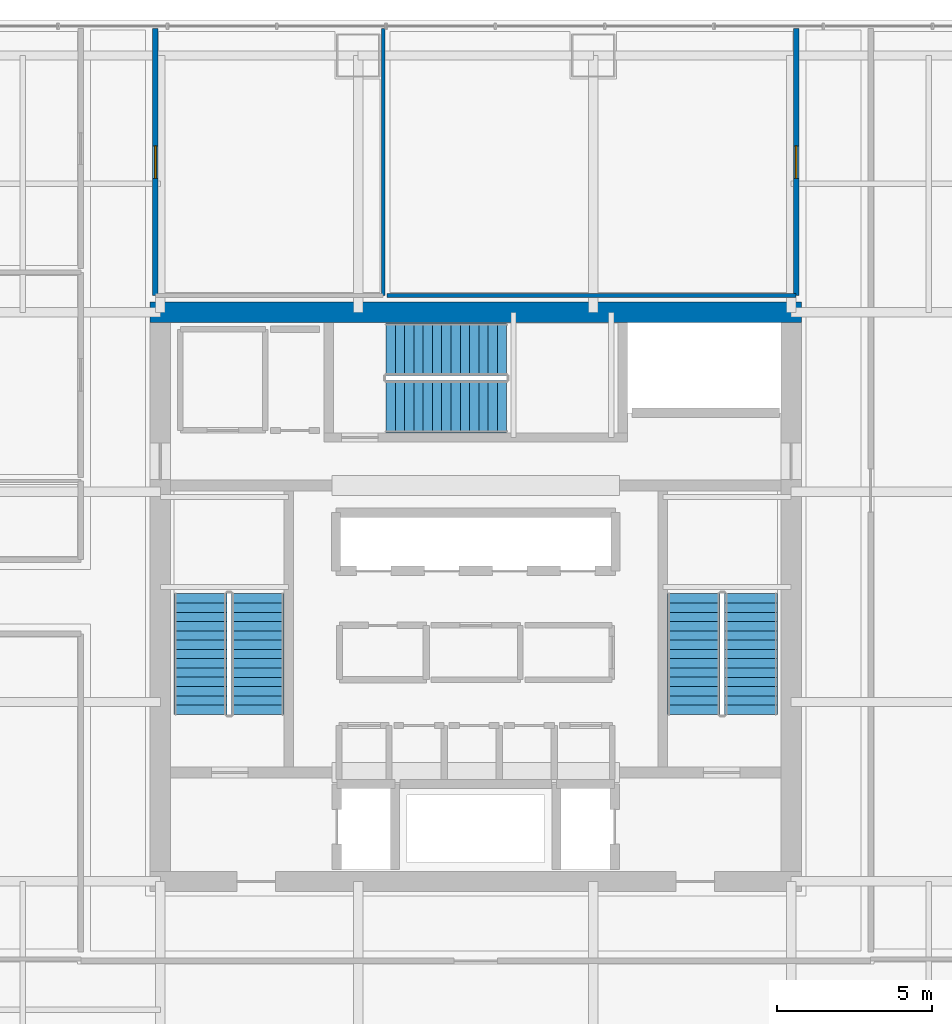
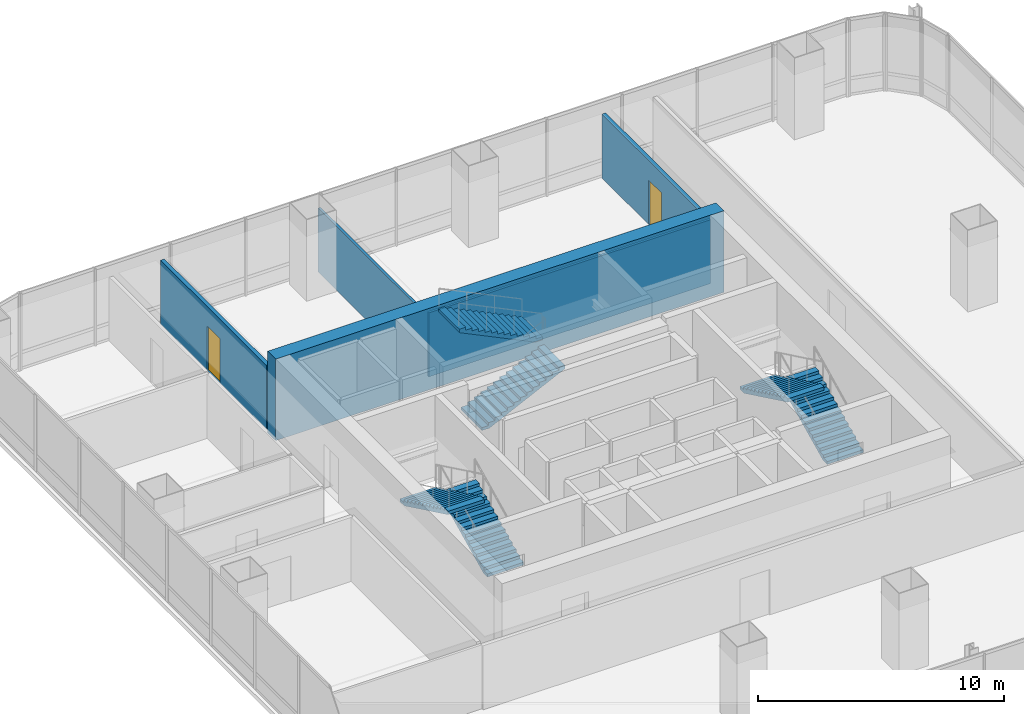
# One storey, part 31 of 36: 6 stair flights, 5 walls, 2 doors, 2 openings, 3 elements without a shape of their own.
"""IFC4 building model written with IfcOpenShell, lengths in metres."""

from ifc_helpers import new_model, si_unit, direction, frame, frame_2d, origin, place, context, subcontext, project, spatial, polyline, rectangle, outline, extrude, material, layer, layer_set, type_object, element, fill, aggregate, save


model = new_model("IFC4")

# Units and contexts
model_context = context("Model", 3, precision=1e-05, world=origin(), true_north=direction((0.0, 1.0)))
body_context = subcontext(model_context, "Body", "Model", "MODEL_VIEW")
ifc_project = project(units=[si_unit("LENGTHUNIT", "METRE"), si_unit("AREAUNIT", "SQUARE_METRE"), si_unit("VOLUMEUNIT", "CUBIC_METRE"), si_unit("PLANEANGLEUNIT", "RADIAN"), si_unit("MASSUNIT", "GRAM", prefix="KILO")], contexts=[model_context])

# Site, building, storey
site_placement = place(None, origin())
site = spatial("IfcSite", under=ifc_project, at=site_placement, CompositionType="ELEMENT")
building_placement = place(site_placement, origin())
building = spatial("IfcBuilding", under=site, at=building_placement, Name="Punatoya Terracotta Tower", CompositionType="ELEMENT")
storey_placement = place(building_placement, frame((0.0, 0.0, 212.699951171875)))
storey = spatial("IfcBuildingStorey", under=building, at=storey_placement, Name="L50", CompositionType="ELEMENT", Elevation=212.699951171875)

# Wall
ifc_material_1 = material(Name="Concrete C60/75", Category="concrete")
ifc_layer_1 = layer(ifc_material_1, 0.64990234375)
ifc_layer_set_1 = layer_set([ifc_layer_1], Name="Concrete C60/75")
wall_type_1 = type_object("IfcWallType", Name="WL-COR-650", PredefinedType="SHEAR", material=ifc_layer_set_1)
wall_1_placement = place(storey_placement, frame((-10.52490234375, 9.199951171875, 0.0), z_axis=(0.0, 0.0, 1.0), x_axis=(1.0, 0.0, 0.0)))
element("IfcWall", 1, at=wall_1_placement, inside=storey, type_object=wall_type_1, Name="L50 Core Shear Wall N", PredefinedType="SHEAR", context=body_context, shape_type="SweptSolid", body=[
    extrude(rectangle(XDim=21.0498046875, YDim=0.64990234375, at=frame_2d((10.52490234375, 0.0))), origin(), (0.0, 0.0, 1.0), 4.050048828125),
])

# Wall, opening, door
ifc_material_2 = material(Name="Gypsum Fireboard + Steel Stud", Category="steel")
ifc_layer_2 = layer(ifc_material_2, 0.179931640625)
ifc_layer_set_2 = layer_set([ifc_layer_2], Name="Gypsum Fireboard + Steel Stud")
wall_type_2 = type_object("IfcWallType", Name="WL-CORR-180", PredefinedType="PARTITIONING", material=ifc_layer_set_2)
wall_2_placement = place(storey_placement, frame((-10.360107421875, 9.739990234375, 0.0), z_axis=(0.0, 0.0, 1.0), x_axis=(0.0, 1.0, 0.0)))
wall_2 = element("IfcWall", 2, at=wall_2_placement, inside=storey, type_object=wall_type_2, Name="L50 Open-Plan Delegate Reception Lounge Partition 41", PredefinedType="PARTITIONING", context=body_context, shape_type="SweptSolid", body=[
    extrude(rectangle(XDim=8.630126953125, YDim=0.179931640625, at=frame_2d((4.31494140625, 0.0))), origin(), (0.0, 0.0, 1.0), 3.174072265625),
])
opening_1_placement = place(wall_2_placement, frame((3.7900390625, 0.0, 0.0)))
opening_1 = element("IfcOpeningElement", 3, at=opening_1_placement, cuts=wall_2, Name="Opening OD-01", PredefinedType="OPENING", context=body_context, shape_type="SweptSolid", body=[
    extrude(rectangle(XDim=1.050048828125, YDim=2.199951171875, at=frame_2d((0.52490234375, 1.10009765625))), frame((0.0, 0.099853515625, 0.0), z_axis=(0.0, -1.0, 0.0), x_axis=(1.0, 0.0, 0.0)), (0.0, 0.0, 1.0), 0.199951171875),
])
ifc_material_3 = material(Name="Bengal Teak Solid-Core Leaf")
door_type = type_object("IfcDoorType", Name="DR-OFF-1050", OperationType="NOTDEFINED", PredefinedType="DOOR", material=ifc_material_3)
door_1_placement = place(opening_1_placement, origin())
door_1 = element("IfcDoor", 4, at=door_1_placement, inside=storey, type_object=door_type, Name="L50 Open-Plan Delegate Reception Lounge Door", OperationType="SINGLE_SWING_LEFT", OverallHeight=2.199951171875, OverallWidth=1.050048828125, PredefinedType="DOOR", context=body_context, shape_type="SweptSolid", body=[
    extrude(rectangle(XDim=1.050048828125, YDim=2.199951171875, at=frame_2d((0.52490234375, 1.10009765625))), frame((0.0, 0.02490234375, 0.0), z_axis=(0.0, -1.0, 0.0), x_axis=(1.0, 0.0, 0.0)), (0.0, 0.0, 1.0), 0.050048828125),
])
fill(opening_1, door_1)

wall_3_placement = place(storey_placement, frame((10.360107421875, 18.3701171875, 0.0), z_axis=(0.0, 0.0, 1.0), x_axis=(0.0, -1.0, 0.0)))
wall_3 = element("IfcWall", 5, at=wall_3_placement, inside=storey, type_object=wall_type_2, Name="L50 Open-Plan Wellness Focus Room Partition 43", PredefinedType="PARTITIONING", context=body_context, shape_type="SweptSolid", body=[
    extrude(rectangle(XDim=8.630126953125, YDim=0.179931640625, at=frame_2d((4.31494140625, 0.0))), origin(), (0.0, 0.0, 1.0), 3.174072265625),
])
opening_2_placement = place(wall_3_placement, frame((3.7900390625, 0.0, 0.0)))
opening_2 = element("IfcOpeningElement", 6, at=opening_2_placement, cuts=wall_3, Name="Opening OD-01", PredefinedType="OPENING", context=body_context, shape_type="SweptSolid", body=[
    extrude(rectangle(XDim=1.050048828125, YDim=2.199951171875, at=frame_2d((0.52490234375, 1.10009765625))), frame((0.0, 0.099853515625, 0.0), z_axis=(0.0, -1.0, 0.0), x_axis=(1.0, 0.0, 0.0)), (0.0, 0.0, 1.0), 0.199951171875),
])
door_2_placement = place(opening_2_placement, origin())
door_2 = element("IfcDoor", 7, at=door_2_placement, inside=storey, type_object=door_type, Name="L50 Open-Plan Wellness Focus Room Door", OperationType="SINGLE_SWING_RIGHT", OverallHeight=2.199951171875, OverallWidth=1.050048828125, PredefinedType="DOOR", context=body_context, shape_type="SweptSolid", body=[
    extrude(rectangle(XDim=1.050048828125, YDim=2.199951171875, at=frame_2d((0.52490234375, 1.10009765625))), frame((0.0, 0.02490234375, 0.0), z_axis=(0.0, -1.0, 0.0), x_axis=(1.0, 0.0, 0.0)), (0.0, 0.0, 1.0), 0.050048828125),
])
fill(opening_2, door_2)

# Walls
ifc_material_4 = material(Name="Gypsum Partition + Steel Stud", Category="steel")
ifc_layer_3 = layer(ifc_material_4, 0.1201171875)
ifc_layer_set_3 = layer_set([ifc_layer_3], Name="Gypsum Partition + Steel Stud")
wall_type_3 = type_object("IfcWallType", Name="WL-OFF-120", PredefinedType="PARTITIONING", material=ifc_layer_set_3)
wall_4_placement = place(storey_placement, frame((-2.993896484375, 18.3701171875, 0.0), z_axis=(0.0, 0.0, 1.0), x_axis=(0.0, -1.0, 0.0)))
element("IfcWall", 8, at=wall_4_placement, inside=storey, type_object=wall_type_3, Name="L50 Open-Plan Delegate Reception Lounge Partition 39", PredefinedType="PARTITIONING", context=body_context, shape_type="SweptSolid", body=[
    extrude(rectangle(XDim=8.630126953125, YDim=0.1201171875, at=frame_2d((4.31494140625, 0.0))), origin(), (0.0, 0.0, 1.0), 3.174072265625),
])
wall_5_placement = place(storey_placement, frame((10.360107421875, 9.739990234375, 0.0), z_axis=(0.0, 0.0, 1.0), x_axis=(-1.0, 0.0, 0.0)))
element("IfcWall", 9, at=wall_5_placement, inside=storey, type_object=wall_type_3, Name="L50 Open-Plan Wellness Focus Room Partition 42", PredefinedType="PARTITIONING", context=body_context, shape_type="SweptSolid", body=[
    extrude(rectangle(XDim=13.234130859375, YDim=0.1201171875, at=frame_2d((6.6171875, 0.0))), origin(), (0.0, 0.0, 1.0), 3.174072265625),
])

# Stair, stair flights
ifc_material_5 = material(Name="Concrete C40/50", Category="concrete")
stair_type_1 = type_object("IfcStairType", Name="STR-CORE-1550", PredefinedType="HALF_TURN_STAIR", material=ifc_material_5)
stair_1_placement = place(storey_placement, origin())
stair_1 = element("IfcStair", 10, at=stair_1_placement, inside=storey, type_object=stair_type_1, Name="L50 Protected Core Exit Stair ST-1", PredefinedType="HALF_TURN_STAIR")
stair_flight_type_1 = type_object("IfcStairFlightType", Name="SFL-CORE-1550", PredefinedType="STRAIGHT", material=ifc_material_5)
stair_flight_1_placement = place(storey_placement, frame((-7.050048828125, -3.800048828125, 0.0), z_axis=(0.0, 0.0, 1.0), x_axis=(0.0, 1.0, 0.0)))
stair_flight_1 = element("IfcStairFlight", 11, at=stair_flight_1_placement, type_object=stair_flight_type_1, Name="ST-1 flight 1", NumberOfRisers=14, NumberOfTreads=13, PredefinedType="STRAIGHT", RiserHeight=0.144642857, TreadLength=0.3, context=body_context, shape_type="SweptSolid", body=[
    extrude(outline(polyline([(0.0, 0.0), (0.0, 0.14453125), (0.300048828125, 0.14453125), (0.300048828125, 0.289306640625), (0.60009765625, 0.289306640625), (0.60009765625, 0.433837890625), (0.89990234375, 0.433837890625), (0.89990234375, 0.57861328125), (1.199951171875, 0.57861328125), (1.199951171875, 0.72314453125), (1.5, 0.72314453125), (1.5, 0.867919921875), (1.800048828125, 0.867919921875), (1.800048828125, 1.012451171875), (2.10009765625, 1.012451171875), (2.10009765625, 1.1572265625), (2.39990234375, 1.1572265625), (2.39990234375, 1.3017578125), (2.699951171875, 1.3017578125), (2.699951171875, 1.446533203125), (3.0, 1.446533203125), (3.0, 1.591064453125), (3.300048828125, 1.591064453125), (3.300048828125, 1.735595703125), (3.60009765625, 1.735595703125), (3.60009765625, 1.88037109375), (3.89990234375, 1.88037109375), (3.89990234375, 2.02490234375), (3.89990234375, 1.7138671875), (0.34521484375, 0.0), (0.0, 0.0)])), frame((0.0, 0.85009765625, 0.0), z_axis=(0.0, -1.0, 0.0), x_axis=(1.0, 0.0, 0.0)), (0.0, 0.0, 1.0), 1.699951171875),
])
stair_flight_2_placement = place(storey_placement, frame((-8.89990234375, 0.10009765625, 2.025146484375), z_axis=(0.0, 0.0, 1.0), x_axis=(0.0, -1.0, 0.0)))
stair_flight_2 = element("IfcStairFlight", 12, at=stair_flight_2_placement, type_object=stair_flight_type_1, Name="ST-1 flight 2", NumberOfRisers=14, NumberOfTreads=13, PredefinedType="STRAIGHT", RiserHeight=0.144642857, TreadLength=0.3, context=body_context, shape_type="SweptSolid", body=[
    extrude(outline(polyline([(0.0, 0.0), (0.0, 0.14453125), (0.300048828125, 0.14453125), (0.300048828125, 0.289306640625), (0.60009765625, 0.289306640625), (0.60009765625, 0.433837890625), (0.89990234375, 0.433837890625), (0.89990234375, 0.57861328125), (1.199951171875, 0.57861328125), (1.199951171875, 0.72314453125), (1.5, 0.72314453125), (1.5, 0.867919921875), (1.800048828125, 0.867919921875), (1.800048828125, 1.012451171875), (2.10009765625, 1.012451171875), (2.10009765625, 1.1572265625), (2.39990234375, 1.1572265625), (2.39990234375, 1.3017578125), (2.699951171875, 1.3017578125), (2.699951171875, 1.446533203125), (3.0, 1.446533203125), (3.0, 1.591064453125), (3.300048828125, 1.591064453125), (3.300048828125, 1.735595703125), (3.60009765625, 1.735595703125), (3.60009765625, 1.88037109375), (3.89990234375, 1.88037109375), (3.89990234375, 2.02490234375), (3.89990234375, 1.7138671875), (0.34521484375, 0.0), (0.0, 0.0)])), frame((0.0, 0.85009765625, 0.0), z_axis=(0.0, -1.0, 0.0), x_axis=(1.0, 0.0, 0.0)), (0.0, 0.0, 1.0), 1.699951171875),
])
aggregate(stair_1, [stair_flight_1, stair_flight_2])

stair_type_2 = type_object("IfcStairType", Name="STR-LOB-1650", PredefinedType="HALF_TURN_STAIR", material=ifc_material_5)
stair_2_placement = place(storey_placement, origin())
stair_2 = element("IfcStair", 13, at=stair_2_placement, inside=storey, type_object=stair_type_2, Name="L50 Protected Core Exit Stair ST-2", PredefinedType="HALF_TURN_STAIR")
stair_flight_type_2 = type_object("IfcStairFlightType", Name="SFL-LOB-1650", PredefinedType="STRAIGHT", material=ifc_material_5)
stair_flight_3_placement = place(storey_placement, frame((8.89990234375, -3.800048828125, 0.0), z_axis=(0.0, 0.0, 1.0), x_axis=(0.0, 1.0, 0.0)))
stair_flight_3 = element("IfcStairFlight", 14, at=stair_flight_3_placement, type_object=stair_flight_type_2, Name="ST-2 flight 1", NumberOfRisers=14, NumberOfTreads=13, PredefinedType="STRAIGHT", RiserHeight=0.144642857, TreadLength=0.3, context=body_context, shape_type="SweptSolid", body=[
    extrude(outline(polyline([(0.0, 0.0), (0.0, 0.14453125), (0.300048828125, 0.14453125), (0.300048828125, 0.289306640625), (0.60009765625, 0.289306640625), (0.60009765625, 0.433837890625), (0.89990234375, 0.433837890625), (0.89990234375, 0.57861328125), (1.199951171875, 0.57861328125), (1.199951171875, 0.72314453125), (1.5, 0.72314453125), (1.5, 0.867919921875), (1.800048828125, 0.867919921875), (1.800048828125, 1.012451171875), (2.10009765625, 1.012451171875), (2.10009765625, 1.1572265625), (2.39990234375, 1.1572265625), (2.39990234375, 1.3017578125), (2.699951171875, 1.3017578125), (2.699951171875, 1.446533203125), (3.0, 1.446533203125), (3.0, 1.591064453125), (3.300048828125, 1.591064453125), (3.300048828125, 1.735595703125), (3.60009765625, 1.735595703125), (3.60009765625, 1.88037109375), (3.89990234375, 1.88037109375), (3.89990234375, 2.02490234375), (3.89990234375, 1.7138671875), (0.34521484375, 0.0), (0.0, 0.0)])), frame((0.0, 0.85009765625, 0.0), z_axis=(0.0, -1.0, 0.0), x_axis=(1.0, 0.0, 0.0)), (0.0, 0.0, 1.0), 1.699951171875),
])
stair_flight_4_placement = place(storey_placement, frame((7.050048828125, 0.10009765625, 2.025146484375), z_axis=(0.0, 0.0, 1.0), x_axis=(0.0, -1.0, 0.0)))
stair_flight_4 = element("IfcStairFlight", 15, at=stair_flight_4_placement, type_object=stair_flight_type_2, Name="ST-2 flight 2", NumberOfRisers=14, NumberOfTreads=13, PredefinedType="STRAIGHT", RiserHeight=0.144642857, TreadLength=0.3, context=body_context, shape_type="SweptSolid", body=[
    extrude(outline(polyline([(0.0, 0.0), (0.0, 0.14453125), (0.300048828125, 0.14453125), (0.300048828125, 0.289306640625), (0.60009765625, 0.289306640625), (0.60009765625, 0.433837890625), (0.89990234375, 0.433837890625), (0.89990234375, 0.57861328125), (1.199951171875, 0.57861328125), (1.199951171875, 0.72314453125), (1.5, 0.72314453125), (1.5, 0.867919921875), (1.800048828125, 0.867919921875), (1.800048828125, 1.012451171875), (2.10009765625, 1.012451171875), (2.10009765625, 1.1572265625), (2.39990234375, 1.1572265625), (2.39990234375, 1.3017578125), (2.699951171875, 1.3017578125), (2.699951171875, 1.446533203125), (3.0, 1.446533203125), (3.0, 1.591064453125), (3.300048828125, 1.591064453125), (3.300048828125, 1.735595703125), (3.60009765625, 1.735595703125), (3.60009765625, 1.88037109375), (3.89990234375, 1.88037109375), (3.89990234375, 2.02490234375), (3.89990234375, 1.7138671875), (0.34521484375, 0.0), (0.0, 0.0)])), frame((0.0, 0.85009765625, 0.0), z_axis=(0.0, -1.0, 0.0), x_axis=(1.0, 0.0, 0.0)), (0.0, 0.0, 1.0), 1.699951171875),
])
aggregate(stair_2, [stair_flight_3, stair_flight_4])

stair_type_3 = type_object("IfcStairType", Name="STR-TER-1450", PredefinedType="HALF_TURN_STAIR", material=ifc_material_5)
stair_3_placement = place(storey_placement, origin())
stair_3 = element("IfcStair", 16, at=stair_3_placement, inside=storey, type_object=stair_type_3, Name="L50 Protected Core Exit Stair ST-3", PredefinedType="HALF_TURN_STAIR")
stair_flight_type_3 = type_object("IfcStairFlightType", Name="SFL-TER-1450", PredefinedType="STRAIGHT", material=ifc_material_5)
stair_flight_5_placement = place(storey_placement, frame((-2.89990234375, 6.14990234375, 0.0), z_axis=(0.0, 0.0, 1.0), x_axis=(1.0, 0.0, 0.0)))
stair_flight_5 = element("IfcStairFlight", 17, at=stair_flight_5_placement, type_object=stair_flight_type_3, Name="ST-3 flight 1", NumberOfRisers=14, NumberOfTreads=13, PredefinedType="STRAIGHT", RiserHeight=0.144642857, TreadLength=0.3, context=body_context, shape_type="SweptSolid", body=[
    extrude(outline(polyline([(0.0, 0.0), (0.0, 0.14453125), (0.300048828125, 0.14453125), (0.300048828125, 0.289306640625), (0.60009765625, 0.289306640625), (0.60009765625, 0.433837890625), (0.89990234375, 0.433837890625), (0.89990234375, 0.57861328125), (1.199951171875, 0.57861328125), (1.199951171875, 0.72314453125), (1.5, 0.72314453125), (1.5, 0.867919921875), (1.800048828125, 0.867919921875), (1.800048828125, 1.012451171875), (2.10009765625, 1.012451171875), (2.10009765625, 1.1572265625), (2.39990234375, 1.1572265625), (2.39990234375, 1.3017578125), (2.699951171875, 1.3017578125), (2.699951171875, 1.446533203125), (3.0, 1.446533203125), (3.0, 1.591064453125), (3.300048828125, 1.591064453125), (3.300048828125, 1.735595703125), (3.60009765625, 1.735595703125), (3.60009765625, 1.88037109375), (3.89990234375, 1.88037109375), (3.89990234375, 2.02490234375), (3.89990234375, 1.7138671875), (0.34521484375, 0.0), (0.0, 0.0)])), frame((0.0, 0.85009765625, 0.0), z_axis=(0.0, -1.0, 0.0), x_axis=(1.0, 0.0, 0.0)), (0.0, 0.0, 1.0), 1.699951171875),
])
stair_flight_6_placement = place(storey_placement, frame((1.0, 8.0, 2.025146484375), z_axis=(0.0, 0.0, 1.0), x_axis=(-1.0, 0.0, 0.0)))
stair_flight_6 = element("IfcStairFlight", 18, at=stair_flight_6_placement, type_object=stair_flight_type_3, Name="ST-3 flight 2", NumberOfRisers=14, NumberOfTreads=13, PredefinedType="STRAIGHT", RiserHeight=0.144642857, TreadLength=0.3, context=body_context, shape_type="SweptSolid", body=[
    extrude(outline(polyline([(0.0, 0.0), (0.0, 0.14453125), (0.300048828125, 0.14453125), (0.300048828125, 0.289306640625), (0.60009765625, 0.289306640625), (0.60009765625, 0.433837890625), (0.89990234375, 0.433837890625), (0.89990234375, 0.57861328125), (1.199951171875, 0.57861328125), (1.199951171875, 0.72314453125), (1.5, 0.72314453125), (1.5, 0.867919921875), (1.800048828125, 0.867919921875), (1.800048828125, 1.012451171875), (2.10009765625, 1.012451171875), (2.10009765625, 1.1572265625), (2.39990234375, 1.1572265625), (2.39990234375, 1.3017578125), (2.699951171875, 1.3017578125), (2.699951171875, 1.446533203125), (3.0, 1.446533203125), (3.0, 1.591064453125), (3.300048828125, 1.591064453125), (3.300048828125, 1.735595703125), (3.60009765625, 1.735595703125), (3.60009765625, 1.88037109375), (3.89990234375, 1.88037109375), (3.89990234375, 2.02490234375), (3.89990234375, 1.7138671875), (0.34521484375, 0.0), (0.0, 0.0)])), frame((0.0, 0.85009765625, 0.0), z_axis=(0.0, -1.0, 0.0), x_axis=(1.0, 0.0, 0.0)), (0.0, 0.0, 1.0), 1.699951171875),
])
aggregate(stair_3, [stair_flight_5, stair_flight_6])

save(model, "model.ifc")
